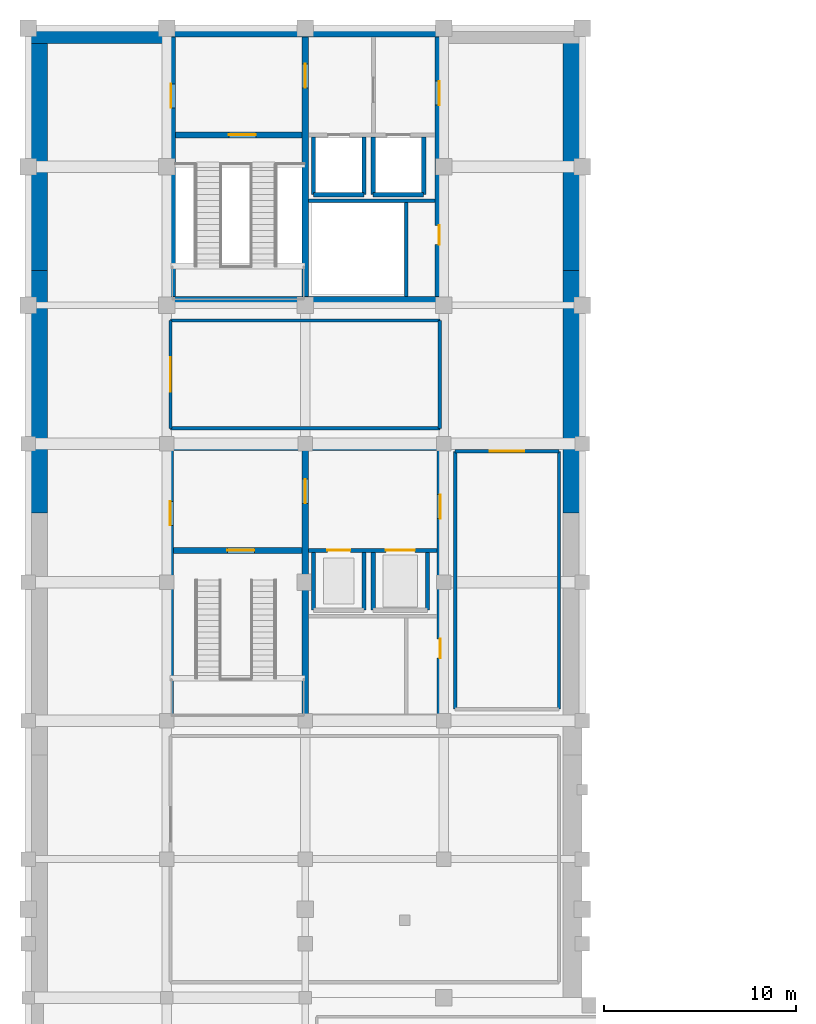
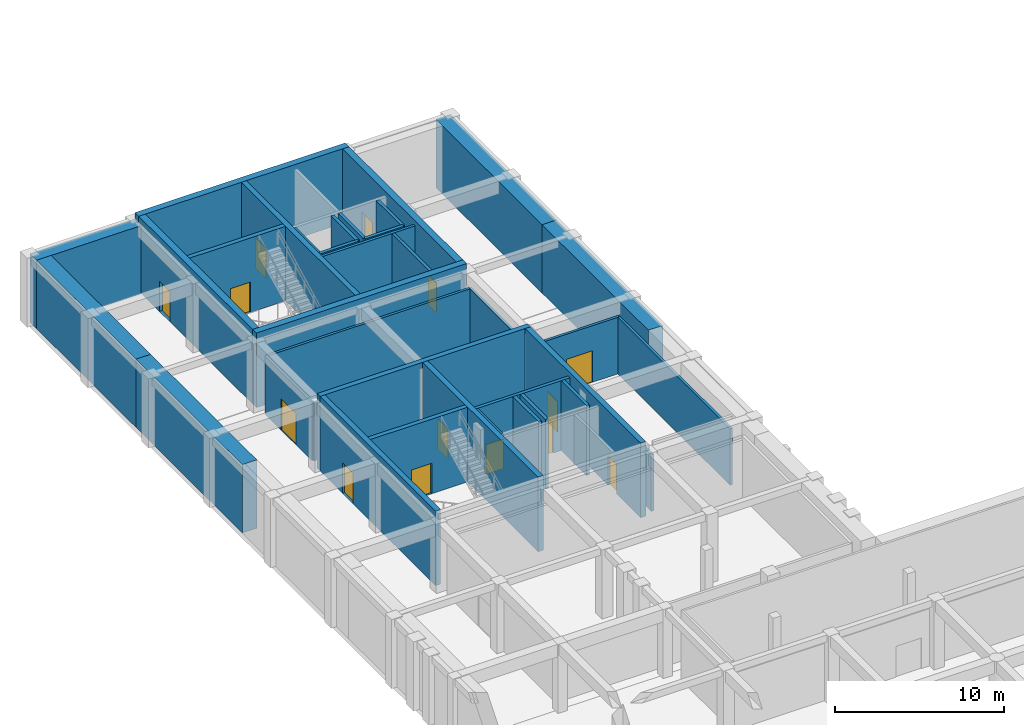
# One storey, part 7 of 15: 36 walls, 14 doors, 14 openings.
"""IFC4 building model written with IfcOpenShell, lengths in metres."""

from ifc_helpers import new_model, si_unit, direction, frame, frame_2d, origin, place, context, subcontext, project, spatial, rectangle, extrude, material, layer, layer_set, type_object, element, fill, save


model = new_model("IFC4")

# Units and contexts
model_context = context("Model", 3, precision=1e-05, world=origin(), true_north=direction((0.0, 1.0)))
body_context = subcontext(model_context, "Body", "Model", "MODEL_VIEW")
ifc_project = project(units=[si_unit("LENGTHUNIT", "METRE"), si_unit("AREAUNIT", "SQUARE_METRE"), si_unit("VOLUMEUNIT", "CUBIC_METRE"), si_unit("PLANEANGLEUNIT", "RADIAN"), si_unit("MASSUNIT", "GRAM", prefix="KILO")], contexts=[model_context])

# Site, building, storey
site_placement = place(None, origin())
site = spatial("IfcSite", under=ifc_project, at=site_placement, CompositionType="ELEMENT")
building_placement = place(site_placement, origin())
building = spatial("IfcBuilding", under=site, at=building_placement, Name="Leyfeld Transit Interchange", CompositionType="ELEMENT")
storey_placement = place(building_placement, frame((0.0, 0.0, -5.39990234375)))
storey = spatial("IfcBuildingStorey", under=building, at=storey_placement, Name="B01", CompositionType="ELEMENT", Elevation=-5.39990234375)

# Walls
ifc_material_1 = material(Name="Concrete C35/45", Category="concrete")
ifc_layer_1 = layer(ifc_material_1, 1.0, Name="Concrete C35/45")
ifc_layer_set_1 = layer_set([ifc_layer_1], Name="Concrete C35/45")
wall_type_1 = type_object("IfcWallType", Name="WL-DW-1000", PredefinedType="USERDEFINED", material=ifc_layer_set_1)
wall_1_placement = place(storey_placement, frame((0.5, 82.800048828125, 0.0), z_axis=(0.0, 0.0, 1.0), x_axis=(0.0, 1.0, 0.0)))
element("IfcWall", 1, at=wall_1_placement, inside=storey, type_object=wall_type_1, Name="Metro Diaphragm Wall DW-B01-S03-P03", ObjectType="RETAININGWALL", PredefinedType="USERDEFINED", context=body_context, shape_type="SweptSolid", body=[
    extrude(rectangle(XDim=12.599853515625, YDim=1.0, at=frame_2d((6.2998046875, 0.0))), origin(), (0.0, 0.0, 1.0), 4.949951171875),
])
for number, where, z_axis, x_axis, name in (
    (2, (0.5, 95.39990234375, 0.0), (0.0, 0.0, 1.0), (0.0, 1.0, 0.0), "Metro Diaphragm Wall DW-B01-S03-P04"),
    (3, (28.300048828125, 108.0, 0.0), (0.0, 0.0, 1.0), (0.0, -1.0, 0.0), "Metro Diaphragm Wall DW-B01-S05-P01"),
):
    element("IfcWall", number, at=place(storey_placement, frame(where, z_axis=z_axis, x_axis=x_axis)), inside=storey, type_object=wall_type_1, Name=name, ObjectType="RETAININGWALL", PredefinedType="USERDEFINED", context=body_context, shape_type="SweptSolid", body=[
        extrude(rectangle(XDim=12.60009765625, YDim=1.0, at=frame_2d((6.300048828125, 0.0))), origin(), (0.0, 0.0, 1.0), 4.949951171875),
    ])
wall_2_placement = place(storey_placement, frame((28.300048828125, 95.39990234375, 0.0), z_axis=(0.0, 0.0, 1.0), x_axis=(0.0, -1.0, 0.0)))
element("IfcWall", 4, at=wall_2_placement, inside=storey, type_object=wall_type_1, Name="Metro Diaphragm Wall DW-B01-S05-P02", ObjectType="RETAININGWALL", PredefinedType="USERDEFINED", context=body_context, shape_type="SweptSolid", body=[
    extrude(rectangle(XDim=12.599853515625, YDim=1.0, at=frame_2d((6.2998046875, 0.0))), origin(), (0.0, 0.0, 1.0), 4.949951171875),
])
ifc_layer_2 = layer(ifc_material_1, 0.800048828125, Name="Concrete C35/45")
ifc_layer_set_2 = layer_set([ifc_layer_2], Name="Concrete C35/45")
wall_type_2 = type_object("IfcWallType", Name="WL-DW-800", PredefinedType="USERDEFINED", material=ifc_layer_set_2)
wall_3_placement = place(storey_placement, frame((0.0, 107.60009765625, 0.0), z_axis=(0.0, 0.0, 1.0), x_axis=(1.0, 0.0, 0.0)))
element("IfcWall", 5, at=wall_3_placement, inside=storey, type_object=wall_type_2, Name="Metro Diaphragm Wall DW-B01-S04-P01", ObjectType="RETAININGWALL", PredefinedType="USERDEFINED", context=body_context, shape_type="SweptSolid", body=[
    extrude(rectangle(XDim=7.14990234375, YDim=0.800048828125, at=frame_2d((3.574951171875, 0.0))), origin(), (0.0, 0.0, 1.0), 4.949951171875),
])

# Wall, opening, door
ifc_material_2 = material(Name="Calcium silicate masonry", Category="masonry")
ifc_layer_3 = layer(ifc_material_2, 0.175048828125, Name="Calcium silicate masonry")
ifc_layer_set_3 = layer_set([ifc_layer_3], Name="Calcium silicate masonry")
wall_type_3 = type_object("IfcWallType", Name="WL-INT-COR-175", PredefinedType="PARTITIONING", material=ifc_layer_set_3)
wall_4_placement = place(storey_placement, frame((22.199951171875, 86.0, 0.0), z_axis=(0.0, 0.0, 1.0), x_axis=(1.0, 0.0, 0.0)))
wall_4 = element("IfcWall", 6, at=wall_4_placement, inside=storey, type_object=wall_type_3, Name="Interior Partition B01-BIK-01 N", PredefinedType="PARTITIONING", context=body_context, shape_type="SweptSolid", body=[
    extrude(rectangle(XDim=5.400146484375, YDim=0.175048828125, at=frame_2d((2.7001953125, 0.0))), origin(), (0.0, 0.0, 1.0), 4.099853515625),
])
opening_1_placement = place(wall_4_placement, frame((1.81005859375, 0.0, 0.0)))
opening_1 = element("IfcOpeningElement", 7, at=opening_1_placement, cuts=wall_4, Name="Opening DU-19", PredefinedType="OPENING", context=body_context, shape_type="SweptSolid", body=[
    extrude(rectangle(XDim=1.780029296875, YDim=2.280029296875, at=frame_2d((0.89013671875, 1.14013671875))), frame((0.0, 0.097412109375, 0.0), z_axis=(0.0, -1.0, 0.0), x_axis=(1.0, 0.0, 0.0)), (0.0, 0.0, 1.0), 0.195068359375),
])
ifc_material_3 = material(Name="Austrian larch glulam GL28h", Category="wood")
door_type_1 = type_object("IfcDoorType", Name="DR-UNQ-19", OperationType="NOTDEFINED", PredefinedType="DOOR", material=ifc_material_3)
door_1_placement = place(opening_1_placement, origin())
door_1 = element("IfcDoor", 8, at=door_1_placement, inside=storey, type_object=door_type_1, Name="DR-B01-BIK-01", OperationType="DOUBLE_DOOR_SINGLE_SWING", OverallHeight=2.280029296875, OverallWidth=1.780029296875, PredefinedType="DOOR", context=body_context, shape_type="SweptSolid", body=[
    extrude(rectangle(XDim=1.780029296875, YDim=2.280029296875, at=frame_2d((0.89013671875, 1.14013671875))), frame((0.0, 0.02490234375, 0.0), z_axis=(0.0, -1.0, 0.0), x_axis=(1.0, 0.0, 0.0)), (0.0, 0.0, 1.0), 0.050048828125),
])
fill(opening_1, door_1)

# Walls
for number, where, z_axis, x_axis, name in (
    (9, (27.60009765625, 86.0, 0.0), (0.0, 0.0, 1.0), (0.0, -1.0, 0.0), "Interior Partition B01-BIK-01 E"),
    (10, (22.199951171875, 72.60009765625, 0.0), (0.0, 0.0, 1.0), (0.0, 1.0, 0.0), "Interior Partition B01-BIK-01 W"),
):
    element("IfcWall", number, at=place(storey_placement, frame(where, z_axis=z_axis, x_axis=x_axis)), inside=storey, type_object=wall_type_3, Name=name, PredefinedType="PARTITIONING", context=body_context, shape_type="SweptSolid", body=[
        extrude(rectangle(XDim=13.39990234375, YDim=0.175048828125, at=frame_2d((6.699951171875, 0.0))), origin(), (0.0, 0.0, 1.0), 4.099853515625),
    ])
for number, where, z_axis, x_axis, name in (
    (11, (7.39990234375, 92.800048828125, 0.0), (0.0, 0.0, 1.0), (1.0, 0.0, 0.0), "Interior Partition B01-STO-02 N"),
    (12, (21.39990234375, 87.199951171875, 0.0), (0.0, 0.0, 1.0), (-1.0, 0.0, 0.0), "Interior Partition B01-STO-02 S"),
):
    element("IfcWall", number, at=place(storey_placement, frame(where, z_axis=z_axis, x_axis=x_axis)), inside=storey, type_object=wall_type_3, Name=name, PredefinedType="PARTITIONING", context=body_context, shape_type="SweptSolid", body=[
        extrude(rectangle(XDim=14.0, YDim=0.175048828125, at=frame_2d((7.0, 0.0))), origin(), (0.0, 0.0, 1.0), 4.199951171875),
    ])
wall_5_placement = place(storey_placement, frame((21.39990234375, 92.800048828125, 0.0), z_axis=(0.0, 0.0, 1.0), x_axis=(0.0, -1.0, 0.0)))
element("IfcWall", 13, at=wall_5_placement, inside=storey, type_object=wall_type_3, Name="Interior Partition B01-STO-02 E", PredefinedType="PARTITIONING", context=body_context, shape_type="SweptSolid", body=[
    extrude(rectangle(XDim=5.60009765625, YDim=0.175048828125, at=frame_2d((2.800048828125, 0.0))), origin(), (0.0, 0.0, 1.0), 4.199951171875),
])

# Wall, opening, door
wall_6_placement = place(storey_placement, frame((7.39990234375, 87.199951171875, 0.0), z_axis=(0.0, 0.0, 1.0), x_axis=(0.0, 1.0, 0.0)))
wall_6 = element("IfcWall", 14, at=wall_6_placement, inside=storey, type_object=wall_type_3, Name="Interior Partition B01-STO-02 W", PredefinedType="PARTITIONING", context=body_context, shape_type="SweptSolid", body=[
    extrude(rectangle(XDim=5.60009765625, YDim=0.175048828125, at=frame_2d((2.800048828125, 0.0))), origin(), (0.0, 0.0, 1.0), 4.199951171875),
])
opening_2_placement = place(wall_6_placement, frame((1.909912109375, 0.0, 0.0)))
opening_2 = element("IfcOpeningElement", 15, at=opening_2_placement, cuts=wall_6, Name="Opening DU-19", PredefinedType="OPENING", context=body_context, shape_type="SweptSolid", body=[
    extrude(rectangle(XDim=1.780029296875, YDim=2.280029296875, at=frame_2d((0.89013671875, 1.14013671875))), frame((0.0, 0.097412109375, 0.0), z_axis=(0.0, -1.0, 0.0), x_axis=(1.0, 0.0, 0.0)), (0.0, 0.0, 1.0), 0.195068359375),
])
door_2_placement = place(opening_2_placement, origin())
door_2 = element("IfcDoor", 16, at=door_2_placement, inside=storey, type_object=door_type_1, Name="DR-B01-STO-02", OperationType="DOUBLE_DOOR_SINGLE_SWING", OverallHeight=2.280029296875, OverallWidth=1.780029296875, PredefinedType="DOOR", context=body_context, shape_type="SweptSolid", body=[
    extrude(rectangle(XDim=1.780029296875, YDim=2.280029296875, at=frame_2d((0.89013671875, 1.14013671875))), frame((0.0, 0.02490234375, 0.0), z_axis=(0.0, -1.0, 0.0), x_axis=(1.0, 0.0, 0.0)), (0.0, 0.0, 1.0), 0.050048828125),
])
fill(opening_2, door_2)

# Walls
ifc_layer_4 = layer(ifc_material_2, 0.18994140625, Name="Calcium silicate masonry")
ifc_layer_set_4 = layer_set([ifc_layer_4], Name="Calcium silicate masonry")
wall_type_4 = type_object("IfcWallType", Name="WL-INT-PLT-190", PredefinedType="PARTITIONING", material=ifc_layer_set_4)
wall_7_placement = place(storey_placement, frame((14.580078125, 99.02001953125, 0.0), z_axis=(0.0, 0.0, 1.0), x_axis=(1.0, 0.0, 0.0)))
element("IfcWall", 17, at=wall_7_placement, inside=storey, type_object=wall_type_4, Name="Core K1 Riser Compartment Wall B01", PredefinedType="PARTITIONING", context=body_context, shape_type="SweptSolid", body=[
    extrude(rectangle(XDim=6.56982421875, YDim=0.18994140625, at=frame_2d((3.284912109375, 0.0))), origin(), (0.0, 0.0, 1.0), 5.0498046875),
])
wall_8_placement = place(storey_placement, frame((19.64990234375, 94.050048828125, 0.0), z_axis=(0.0, 0.0, 1.0), x_axis=(0.0, 1.0, 0.0)))
element("IfcWall", 18, at=wall_8_placement, inside=storey, type_object=wall_type_4, Name="Core K1 Riser Shaft East Wall B01", PredefinedType="PARTITIONING", context=body_context, shape_type="SweptSolid", body=[
    extrude(rectangle(XDim=4.8798828125, YDim=0.18994140625, at=frame_2d((2.43994140625, 0.0))), origin(), (0.0, 0.0, 1.0), 5.0498046875),
])
ifc_layer_5 = layer(ifc_material_1, 0.219970703125, Name="Concrete C35/45")
ifc_layer_set_5 = layer_set([ifc_layer_5], Name="Concrete C35/45")
wall_type_5 = type_object("IfcWallType", Name="WL-INT-SHF-220", PredefinedType="PARTITIONING", material=ifc_layer_set_5)
wall_9_placement = place(storey_placement, frame((14.840087890625, 99.340087890625, 0.0), z_axis=(0.0, 0.0, 1.0), x_axis=(1.0, 0.0, 0.0)))
element("IfcWall", 19, at=wall_9_placement, inside=storey, type_object=wall_type_5, Name="Core K1 Lift FFL-1 Shaft Back Wall B01", PredefinedType="PARTITIONING", context=body_context, shape_type="SweptSolid", body=[
    extrude(rectangle(XDim=2.619873046875, YDim=0.219970703125, at=frame_2d((1.31005859375, 0.0))), origin(), (0.0, 0.0, 1.0), 5.0498046875),
])
for number, where, z_axis, x_axis, name in (
    (20, (14.840087890625, 99.340087890625, 0.0), (0.0, 0.0, 1.0), (0.0, 1.0, 0.0), "Core K1 Lift FFL-1 Shaft Wall W B01"),
    (21, (17.4599609375, 99.340087890625, 0.0), (0.0, 0.0, 1.0), (0.0, 1.0, 0.0), "Core K1 Lift FFL-1 Shaft Wall E B01"),
):
    element("IfcWall", number, at=place(storey_placement, frame(where, z_axis=z_axis, x_axis=x_axis)), inside=storey, type_object=wall_type_5, Name=name, PredefinedType="PARTITIONING", context=body_context, shape_type="SweptSolid", body=[
        extrude(rectangle(XDim=3.0, YDim=0.219970703125, at=frame_2d((1.5, 0.0))), origin(), (0.0, 0.0, 1.0), 5.0498046875),
    ])
wall_10_placement = place(storey_placement, frame((17.93994140625, 99.340087890625, 0.0), z_axis=(0.0, 0.0, 1.0), x_axis=(1.0, 0.0, 0.0)))
element("IfcWall", 22, at=wall_10_placement, inside=storey, type_object=wall_type_5, Name="Core K1 Lift PL-1 Shaft Back Wall B01", PredefinedType="PARTITIONING", context=body_context, shape_type="SweptSolid", body=[
    extrude(rectangle(XDim=2.6201171875, YDim=0.219970703125, at=frame_2d((1.31005859375, 0.0))), origin(), (0.0, 0.0, 1.0), 5.0498046875),
])
for number, where, z_axis, x_axis, name in (
    (23, (17.93994140625, 99.340087890625, 0.0), (0.0, 0.0, 1.0), (0.0, 1.0, 0.0), "Core K1 Lift PL-1 Shaft Wall W B01"),
    (24, (20.56005859375, 99.340087890625, 0.0), (0.0, 0.0, 1.0), (0.0, 1.0, 0.0), "Core K1 Lift PL-1 Shaft Wall E B01"),
):
    element("IfcWall", number, at=place(storey_placement, frame(where, z_axis=z_axis, x_axis=x_axis)), inside=storey, type_object=wall_type_5, Name=name, PredefinedType="PARTITIONING", context=body_context, shape_type="SweptSolid", body=[
        extrude(rectangle(XDim=3.0, YDim=0.219970703125, at=frame_2d((1.5, 0.0))), origin(), (0.0, 0.0, 1.0), 5.0498046875),
    ])

# Wall, openings, doors
wall_11_placement = place(storey_placement, frame((14.580078125, 80.85009765625, 0.0), z_axis=(0.0, 0.0, 1.0), x_axis=(1.0, 0.0, 0.0)))
wall_11 = element("IfcWall", 25, at=wall_11_placement, inside=storey, type_object=wall_type_5, Name="Core K3 Lift Shaft Front Wall B01", PredefinedType="PARTITIONING", context=body_context, shape_type="SweptSolid", body=[
    extrude(rectangle(XDim=6.669921875, YDim=0.219970703125, at=frame_2d((3.3349609375, 0.0))), origin(), (0.0, 0.0, 1.0), 5.0498046875),
])
opening_3_placement = place(wall_11_placement, frame((0.969970703125, 0.0, 0.0)))
opening_3 = element("IfcOpeningElement", 26, at=opening_3_placement, cuts=wall_11, Name="Opening LD-02", PredefinedType="OPENING", context=body_context, shape_type="SweptSolid", body=[
    extrude(rectangle(XDim=1.199951171875, YDim=2.14990234375, at=frame_2d((0.60009765625, 1.074951171875))), frame((0.0, 0.119873046875, 0.0), z_axis=(0.0, -1.0, 0.0), x_axis=(1.0, 0.0, 0.0)), (0.0, 0.0, 1.0), 0.239990234375),
])
opening_4_placement = place(wall_11_placement, frame((4.02001953125, 0.0, 0.0)))
opening_4 = element("IfcOpeningElement", 27, at=opening_4_placement, cuts=wall_11, Name="Opening LD-03", PredefinedType="OPENING", context=body_context, shape_type="SweptSolid", body=[
    extrude(rectangle(XDim=1.5, YDim=2.25, at=frame_2d((0.75, 1.125))), frame((0.0, 0.119873046875, 0.0), z_axis=(0.0, -1.0, 0.0), x_axis=(1.0, 0.0, 0.0)), (0.0, 0.0, 1.0), 0.239990234375),
])
ifc_material_4 = material(Name="Stainless steel EN 1.4404", Category="steel")
door_type_2 = type_object("IfcDoorType", Name="DR-LD-GDS-1500x2250", OperationType="NOTDEFINED", PredefinedType="DOOR", material=ifc_material_4)
door_3_placement = place(opening_4_placement, origin())
door_3 = element("IfcDoor", 28, at=door_3_placement, inside=storey, type_object=door_type_2, Name="LD-GL-1-B01", OperationType="DOUBLE_DOOR_SLIDING", OverallHeight=2.25, OverallWidth=1.5, PredefinedType="DOOR", context=body_context, shape_type="SweptSolid", body=[
    extrude(rectangle(XDim=1.5, YDim=2.25, at=frame_2d((0.75, 1.125))), frame((0.0, 0.02490234375, 0.0), z_axis=(0.0, -1.0, 0.0), x_axis=(1.0, 0.0, 0.0)), (0.0, 0.0, 1.0), 0.050048828125),
])
fill(opening_4, door_3)
door_type_3 = type_object("IfcDoorType", Name="DR-LD-PAS-1200x2150", OperationType="NOTDEFINED", PredefinedType="DOOR", material=ifc_material_4)
door_4_placement = place(opening_3_placement, origin())
door_4 = element("IfcDoor", 29, at=door_4_placement, inside=storey, type_object=door_type_3, Name="LD-PL-3-B01", OperationType="DOUBLE_DOOR_SLIDING", OverallHeight=2.14990234375, OverallWidth=1.199951171875, PredefinedType="DOOR", context=body_context, shape_type="SweptSolid", body=[
    extrude(rectangle(XDim=1.199951171875, YDim=2.14990234375, at=frame_2d((0.60009765625, 1.074951171875))), frame((0.0, 0.02490234375, 0.0), z_axis=(0.0, -1.0, 0.0), x_axis=(1.0, 0.0, 0.0)), (0.0, 0.0, 1.0), 0.050048828125),
])
fill(opening_3, door_4)

# Walls
for number, where, z_axis, x_axis, name in (
    (30, (14.840087890625, 77.739990234375, 0.0), (0.0, 0.0, 1.0), (0.0, 1.0, 0.0), "Core K3 Lift PL-3 Shaft Wall W B01"),
    (31, (17.4599609375, 77.739990234375, 0.0), (0.0, 0.0, 1.0), (0.0, 1.0, 0.0), "Core K3 Lift PL-3 Shaft Wall E B01"),
    (32, (17.93994140625, 77.739990234375, 0.0), (0.0, 0.0, 1.0), (0.0, 1.0, 0.0), "Core K3 Lift GL-1 Shaft Wall W B01"),
    (33, (20.760009765625, 77.739990234375, 0.0), (0.0, 0.0, 1.0), (0.0, 1.0, 0.0), "Core K3 Lift GL-1 Shaft Wall E B01"),
):
    element("IfcWall", number, at=place(storey_placement, frame(where, z_axis=z_axis, x_axis=x_axis)), inside=storey, type_object=wall_type_5, Name=name, PredefinedType="PARTITIONING", context=body_context, shape_type="SweptSolid", body=[
        extrude(rectangle(XDim=3.0, YDim=0.219970703125, at=frame_2d((1.5, 0.0))), origin(), (0.0, 0.0, 1.0), 5.0498046875),
    ])

# Wall, opening, door
ifc_layer_6 = layer(ifc_material_1, 0.300048828125, Name="Concrete C35/45")
ifc_layer_set_6 = layer_set([ifc_layer_6], Name="Concrete C35/45")
wall_type_6 = type_object("IfcWallType", Name="WL-SH-300", PredefinedType="SHEAR", material=ifc_layer_set_6)
wall_12_placement = place(storey_placement, frame((7.64990234375, 102.449951171875, 0.0), z_axis=(0.0, 0.0, 1.0), x_axis=(1.0, 0.0, 0.0)))
wall_12 = element("IfcWall", 34, at=wall_12_placement, inside=storey, type_object=wall_type_6, Name="Core K1 Shear Wall STRN B01", PredefinedType="SHEAR", context=body_context, shape_type="SweptSolid", body=[
    extrude(rectangle(XDim=6.5751953125, YDim=0.300048828125, at=frame_2d((3.28759765625, 0.0))), origin(), (0.0, 0.0, 1.0), 5.39990234375),
])
opening_5_placement = place(wall_12_placement, frame((2.78759765625, 0.0, 0.0)))
opening_5 = element("IfcOpeningElement", 35, at=opening_5_placement, cuts=wall_12, Name="Opening DI-01", PredefinedType="OPENING", context=body_context, shape_type="SweptSolid", body=[
    extrude(rectangle(XDim=1.39990234375, YDim=2.199951171875, at=frame_2d((0.699951171875, 1.10009765625))), frame((0.0, 0.159912109375, 0.0), z_axis=(0.0, -1.0, 0.0), x_axis=(1.0, 0.0, 0.0)), (0.0, 0.0, 1.0), 0.320068359375),
])
ifc_material_5 = material(Name="Galvanised steel S275JR", Category="steel")
door_type_4 = type_object("IfcDoorType", Name="DR-STR-1400x2200", OperationType="NOTDEFINED", PredefinedType="DOOR", material=ifc_material_5)
door_5_placement = place(opening_5_placement, origin())
door_5 = element("IfcDoor", 36, at=door_5_placement, inside=storey, type_object=door_type_4, Name="DR-STR-INT-K1-B01", OperationType="SINGLE_SWING_LEFT", OverallHeight=2.199951171875, OverallWidth=1.39990234375, PredefinedType="DOOR", context=body_context, shape_type="SweptSolid", body=[
    extrude(rectangle(XDim=1.39990234375, YDim=2.199951171875, at=frame_2d((0.699951171875, 1.10009765625))), frame((0.0, 0.02490234375, 0.0), z_axis=(0.0, -1.0, 0.0), x_axis=(1.0, 0.0, 0.0)), (0.0, 0.0, 1.0), 0.050048828125),
])
fill(opening_5, door_5)

wall_13_placement = place(storey_placement, frame((7.550048828125, 80.85009765625, 0.0), z_axis=(0.0, 0.0, 1.0), x_axis=(1.0, 0.0, 0.0)))
wall_13 = element("IfcWall", 37, at=wall_13_placement, inside=storey, type_object=wall_type_6, Name="Core K3 Shear Wall STRN B01", PredefinedType="SHEAR", context=body_context, shape_type="SweptSolid", body=[
    extrude(rectangle(XDim=6.675048828125, YDim=0.300048828125, at=frame_2d((3.33740234375, 0.0))), origin(), (0.0, 0.0, 1.0), 5.39990234375),
])
opening_6_placement = place(wall_13_placement, frame((2.8125, 0.0, 0.0)))
opening_6 = element("IfcOpeningElement", 38, at=opening_6_placement, cuts=wall_13, Name="Opening DI-01", PredefinedType="OPENING", context=body_context, shape_type="SweptSolid", body=[
    extrude(rectangle(XDim=1.39990234375, YDim=2.199951171875, at=frame_2d((0.699951171875, 1.10009765625))), frame((0.0, 0.159912109375, 0.0), z_axis=(0.0, -1.0, 0.0), x_axis=(1.0, 0.0, 0.0)), (0.0, 0.0, 1.0), 0.320068359375),
])
door_6_placement = place(opening_6_placement, origin())
door_6 = element("IfcDoor", 39, at=door_6_placement, inside=storey, type_object=door_type_4, Name="DR-STR-INT-K3-B01", OperationType="SINGLE_SWING_LEFT", OverallHeight=2.199951171875, OverallWidth=1.39990234375, PredefinedType="DOOR", context=body_context, shape_type="SweptSolid", body=[
    extrude(rectangle(XDim=1.39990234375, YDim=2.199951171875, at=frame_2d((0.699951171875, 1.10009765625))), frame((0.0, 0.02490234375, 0.0), z_axis=(0.0, -1.0, 0.0), x_axis=(1.0, 0.0, 0.0)), (0.0, 0.0, 1.0), 0.050048828125),
])
fill(opening_6, door_6)

ifc_layer_7 = layer(ifc_material_1, 0.35009765625, Name="Concrete C35/45")
ifc_layer_set_7 = layer_set([ifc_layer_7], Name="Concrete C35/45")
wall_type_7 = type_object("IfcWallType", Name="WL-SH-350", PredefinedType="SHEAR", material=ifc_layer_set_7)
wall_14_placement = place(storey_placement, frame((14.39990234375, 107.550048828125, 0.0), z_axis=(0.0, 0.0, 1.0), x_axis=(0.0, -1.0, 0.0)))
wall_14 = element("IfcWall", 40, at=wall_14_placement, inside=storey, type_object=wall_type_7, Name="Core K1 Shear Wall MID B01", PredefinedType="SHEAR", context=body_context, shape_type="SweptSolid", body=[
    extrude(rectangle(XDim=13.5, YDim=0.35009765625, at=frame_2d((6.75, 0.0))), origin(), (0.0, 0.0, 1.0), 5.39990234375),
])
opening_7_placement = place(wall_14_placement, frame((1.39990234375, 0.0, 0.0)))
opening_7 = element("IfcOpeningElement", 41, at=opening_7_placement, cuts=wall_14, Name="Opening DI-02", PredefinedType="OPENING", context=body_context, shape_type="SweptSolid", body=[
    extrude(rectangle(XDim=1.25, YDim=2.199951171875, at=frame_2d((0.625, 1.10009765625))), frame((0.0, 0.18505859375, 0.0), z_axis=(0.0, -1.0, 0.0), x_axis=(1.0, 0.0, 0.0)), (0.0, 0.0, 1.0), 0.3701171875),
])
door_type_5 = type_object("IfcDoorType", Name="DR-FFL-1250x2200", OperationType="NOTDEFINED", PredefinedType="DOOR", material=ifc_material_5)
door_7_placement = place(opening_7_placement, origin())
door_7 = element("IfcDoor", 42, at=door_7_placement, inside=storey, type_object=door_type_5, Name="DR-CORE-MID-K1-B01", OperationType="SINGLE_SWING_RIGHT", OverallHeight=2.199951171875, OverallWidth=1.25, PredefinedType="DOOR", context=body_context, shape_type="SweptSolid", body=[
    extrude(rectangle(XDim=1.25, YDim=2.199951171875, at=frame_2d((0.625, 1.10009765625))), frame((0.0, 0.02490234375, 0.0), z_axis=(0.0, -1.0, 0.0), x_axis=(1.0, 0.0, 0.0)), (0.0, 0.0, 1.0), 0.050048828125),
])
fill(opening_7, door_7)

# Wall
wall_15_placement = place(storey_placement, frame((7.199951171875, 86.22509765625, 0.0), z_axis=(0.0, 0.0, 1.0), x_axis=(1.0, 0.0, 0.0)))
element("IfcWall", 43, at=wall_15_placement, inside=storey, type_object=wall_type_7, Name="Core K3 Shear Wall N B01", PredefinedType="SHEAR", context=body_context, shape_type="SweptSolid", body=[
    extrude(rectangle(XDim=14.400146484375, YDim=0.35009765625, at=frame_2d((7.2001953125, 0.0))), origin(), (0.0, 0.0, 1.0), 5.39990234375),
])

# Wall, openings, doors
wall_16_placement = place(storey_placement, frame((21.425048828125, 86.050048828125, 0.0), z_axis=(0.0, 0.0, 1.0), x_axis=(0.0, -1.0, 0.0)))
wall_16 = element("IfcWall", 44, at=wall_16_placement, inside=storey, type_object=wall_type_7, Name="Core K3 Shear Wall E B01", PredefinedType="SHEAR", context=body_context, shape_type="SweptSolid", body=[
    extrude(rectangle(XDim=13.699951171875, YDim=0.35009765625, at=frame_2d((6.85009765625, 0.0))), origin(), (0.0, 0.0, 1.0), 5.39990234375),
])
opening_8_placement = place(wall_16_placement, frame((9.800048828125, 0.0, 0.0)))
opening_8 = element("IfcOpeningElement", 45, at=opening_8_placement, cuts=wall_16, Name="Opening DI-05", PredefinedType="OPENING", context=body_context, shape_type="SweptSolid", body=[
    extrude(rectangle(XDim=1.0, YDim=2.14990234375, at=frame_2d((0.5, 1.074951171875))), frame((0.0, 0.18505859375, 0.0), z_axis=(0.0, -1.0, 0.0), x_axis=(1.0, 0.0, 0.0)), (0.0, 0.0, 1.0), 0.3701171875),
])
opening_9_placement = place(wall_16_placement, frame((2.300048828125, 0.0, 0.0)))
opening_9 = element("IfcOpeningElement", 46, at=opening_9_placement, cuts=wall_16, Name="Opening DI-02", PredefinedType="OPENING", context=body_context, shape_type="SweptSolid", body=[
    extrude(rectangle(XDim=1.25, YDim=2.199951171875, at=frame_2d((0.625, 1.10009765625))), frame((0.0, 0.18505859375, 0.0), z_axis=(0.0, -1.0, 0.0), x_axis=(1.0, 0.0, 0.0)), (0.0, 0.0, 1.0), 0.3701171875),
])
door_8_placement = place(opening_9_placement, origin())
door_8 = element("IfcDoor", 47, at=door_8_placement, inside=storey, type_object=door_type_5, Name="DR-CORE-OUT-K3-B01-E", OperationType="SINGLE_SWING_LEFT", OverallHeight=2.199951171875, OverallWidth=1.25, PredefinedType="DOOR", context=body_context, shape_type="SweptSolid", body=[
    extrude(rectangle(XDim=1.25, YDim=2.199951171875, at=frame_2d((0.625, 1.10009765625))), frame((0.0, 0.02490234375, 0.0), z_axis=(0.0, -1.0, 0.0), x_axis=(1.0, 0.0, 0.0)), (0.0, 0.0, 1.0), 0.050048828125),
])
fill(opening_9, door_8)
door_type_6 = type_object("IfcDoorType", Name="DR-OFF-1000x2150", OperationType="NOTDEFINED", PredefinedType="DOOR", material=ifc_material_3)
door_9_placement = place(opening_8_placement, origin())
door_9 = element("IfcDoor", 48, at=door_9_placement, inside=storey, type_object=door_type_6, Name="DR-RSR-K3-B01", OperationType="SINGLE_SWING_LEFT", OverallHeight=2.14990234375, OverallWidth=1.0, PredefinedType="DOOR", context=body_context, shape_type="SweptSolid", body=[
    extrude(rectangle(XDim=1.0, YDim=2.14990234375, at=frame_2d((0.5, 1.074951171875))), frame((0.0, 0.02490234375, 0.0), z_axis=(0.0, -1.0, 0.0), x_axis=(1.0, 0.0, 0.0)), (0.0, 0.0, 1.0), 0.050048828125),
])
fill(opening_8, door_9)

# Wall, opening, door
wall_17_placement = place(storey_placement, frame((7.375, 72.35009765625, 0.0), z_axis=(0.0, 0.0, 1.0), x_axis=(0.0, 1.0, 0.0)))
wall_17 = element("IfcWall", 49, at=wall_17_placement, inside=storey, type_object=wall_type_7, Name="Core K3 Shear Wall W B01", PredefinedType="SHEAR", context=body_context, shape_type="SweptSolid", body=[
    extrude(rectangle(XDim=13.699951171875, YDim=0.35009765625, at=frame_2d((6.85009765625, 0.0))), origin(), (0.0, 0.0, 1.0), 5.39990234375),
])
opening_10_placement = place(wall_17_placement, frame((9.800048828125, 0.0, 0.0)))
opening_10 = element("IfcOpeningElement", 50, at=opening_10_placement, cuts=wall_17, Name="Opening DI-02", PredefinedType="OPENING", context=body_context, shape_type="SweptSolid", body=[
    extrude(rectangle(XDim=1.25, YDim=2.199951171875, at=frame_2d((0.625, 1.10009765625))), frame((0.0, 0.18505859375, 0.0), z_axis=(0.0, -1.0, 0.0), x_axis=(1.0, 0.0, 0.0)), (0.0, 0.0, 1.0), 0.3701171875),
])
door_10_placement = place(opening_10_placement, origin())
door_10 = element("IfcDoor", 51, at=door_10_placement, inside=storey, type_object=door_type_5, Name="DR-CORE-OUT-K3-B01-W", OperationType="SINGLE_SWING_RIGHT", OverallHeight=2.199951171875, OverallWidth=1.25, PredefinedType="DOOR", context=body_context, shape_type="SweptSolid", body=[
    extrude(rectangle(XDim=1.25, YDim=2.199951171875, at=frame_2d((0.625, 1.10009765625))), frame((0.0, 0.02490234375, 0.0), z_axis=(0.0, -1.0, 0.0), x_axis=(1.0, 0.0, 0.0)), (0.0, 0.0, 1.0), 0.050048828125),
])
fill(opening_10, door_10)

wall_18_placement = place(storey_placement, frame((14.39990234375, 86.050048828125, 0.0), z_axis=(0.0, 0.0, 1.0), x_axis=(0.0, -1.0, 0.0)))
wall_18 = element("IfcWall", 52, at=wall_18_placement, inside=storey, type_object=wall_type_7, Name="Core K3 Shear Wall MID B01", PredefinedType="SHEAR", context=body_context, shape_type="SweptSolid", body=[
    extrude(rectangle(XDim=13.699951171875, YDim=0.35009765625, at=frame_2d((6.85009765625, 0.0))), origin(), (0.0, 0.0, 1.0), 5.39990234375),
])
opening_11_placement = place(wall_18_placement, frame((1.5, 0.0, 0.0)))
opening_11 = element("IfcOpeningElement", 53, at=opening_11_placement, cuts=wall_18, Name="Opening DI-02", PredefinedType="OPENING", context=body_context, shape_type="SweptSolid", body=[
    extrude(rectangle(XDim=1.25, YDim=2.199951171875, at=frame_2d((0.625, 1.10009765625))), frame((0.0, 0.18505859375, 0.0), z_axis=(0.0, -1.0, 0.0), x_axis=(1.0, 0.0, 0.0)), (0.0, 0.0, 1.0), 0.3701171875),
])
door_11_placement = place(opening_11_placement, origin())
door_11 = element("IfcDoor", 54, at=door_11_placement, inside=storey, type_object=door_type_5, Name="DR-CORE-MID-K3-B01", OperationType="SINGLE_SWING_RIGHT", OverallHeight=2.199951171875, OverallWidth=1.25, PredefinedType="DOOR", context=body_context, shape_type="SweptSolid", body=[
    extrude(rectangle(XDim=1.25, YDim=2.199951171875, at=frame_2d((0.625, 1.10009765625))), frame((0.0, 0.02490234375, 0.0), z_axis=(0.0, -1.0, 0.0), x_axis=(1.0, 0.0, 0.0)), (0.0, 0.0, 1.0), 0.050048828125),
])
fill(opening_11, door_11)

# Wall
ifc_layer_8 = layer(ifc_material_1, 0.449951171875, Name="Concrete C35/45")
ifc_layer_set_8 = layer_set([ifc_layer_8], Name="Concrete C35/45")
wall_type_8 = type_object("IfcWallType", Name="WL-SH-450", PredefinedType="SHEAR", material=ifc_layer_set_8)
wall_19_placement = place(storey_placement, frame((7.199951171875, 107.77490234375, 0.0), z_axis=(0.0, 0.0, 1.0), x_axis=(1.0, 0.0, 0.0)))
element("IfcWall", 55, at=wall_19_placement, inside=storey, type_object=wall_type_8, Name="Core K1 Shear Wall N B01", PredefinedType="SHEAR", context=body_context, shape_type="SweptSolid", body=[
    extrude(rectangle(XDim=14.400146484375, YDim=0.449951171875, at=frame_2d((7.2001953125, 0.0))), origin(), (0.0, 0.0, 1.0), 5.39990234375),
])

# Wall, openings, doors
wall_20_placement = place(storey_placement, frame((21.375, 107.550048828125, 0.0), z_axis=(0.0, 0.0, 1.0), x_axis=(0.0, -1.0, 0.0)))
wall_20 = element("IfcWall", 56, at=wall_20_placement, inside=storey, type_object=wall_type_8, Name="Core K1 Shear Wall E B01", PredefinedType="SHEAR", context=body_context, shape_type="SweptSolid", body=[
    extrude(rectangle(XDim=13.5, YDim=0.449951171875, at=frame_2d((6.75, 0.0))), origin(), (0.0, 0.0, 1.0), 5.39990234375),
])
opening_12_placement = place(wall_20_placement, frame((9.800048828125, 0.0, 0.0)))
opening_12 = element("IfcOpeningElement", 57, at=opening_12_placement, cuts=wall_20, Name="Opening DI-05", PredefinedType="OPENING", context=body_context, shape_type="SweptSolid", body=[
    extrude(rectangle(XDim=1.0, YDim=2.14990234375, at=frame_2d((0.5, 1.074951171875))), frame((0.0, 0.23486328125, 0.0), z_axis=(0.0, -1.0, 0.0), x_axis=(1.0, 0.0, 0.0)), (0.0, 0.0, 1.0), 0.469970703125),
])
opening_13_placement = place(wall_20_placement, frame((2.300048828125, 0.0, 0.0)))
opening_13 = element("IfcOpeningElement", 58, at=opening_13_placement, cuts=wall_20, Name="Opening DI-02", PredefinedType="OPENING", context=body_context, shape_type="SweptSolid", body=[
    extrude(rectangle(XDim=1.25, YDim=2.199951171875, at=frame_2d((0.625, 1.10009765625))), frame((0.0, 0.23486328125, 0.0), z_axis=(0.0, -1.0, 0.0), x_axis=(1.0, 0.0, 0.0)), (0.0, 0.0, 1.0), 0.469970703125),
])
door_12_placement = place(opening_13_placement, origin())
door_12 = element("IfcDoor", 59, at=door_12_placement, inside=storey, type_object=door_type_5, Name="DR-CORE-OUT-K1-B01-E", OperationType="SINGLE_SWING_RIGHT", OverallHeight=2.199951171875, OverallWidth=1.25, PredefinedType="DOOR", context=body_context, shape_type="SweptSolid", body=[
    extrude(rectangle(XDim=1.25, YDim=2.199951171875, at=frame_2d((0.625, 1.10009765625))), frame((0.0, 0.02490234375, 0.0), z_axis=(0.0, -1.0, 0.0), x_axis=(1.0, 0.0, 0.0)), (0.0, 0.0, 1.0), 0.050048828125),
])
fill(opening_13, door_12)
door_13_placement = place(opening_12_placement, origin())
door_13 = element("IfcDoor", 60, at=door_13_placement, inside=storey, type_object=door_type_6, Name="DR-RSR-K1-B01", OperationType="SINGLE_SWING_LEFT", OverallHeight=2.14990234375, OverallWidth=1.0, PredefinedType="DOOR", context=body_context, shape_type="SweptSolid", body=[
    extrude(rectangle(XDim=1.0, YDim=2.14990234375, at=frame_2d((0.5, 1.074951171875))), frame((0.0, 0.02490234375, 0.0), z_axis=(0.0, -1.0, 0.0), x_axis=(1.0, 0.0, 0.0)), (0.0, 0.0, 1.0), 0.050048828125),
])
fill(opening_12, door_13)

# Wall
wall_21_placement = place(storey_placement, frame((21.60009765625, 93.824951171875, 0.0), z_axis=(0.0, 0.0, 1.0), x_axis=(-1.0, 0.0, 0.0)))
element("IfcWall", 61, at=wall_21_placement, inside=storey, type_object=wall_type_8, Name="Core K1 Shear Wall S B01", PredefinedType="SHEAR", context=body_context, shape_type="SweptSolid", body=[
    extrude(rectangle(XDim=14.400146484375, YDim=0.449951171875, at=frame_2d((7.2001953125, 0.0))), origin(), (0.0, 0.0, 1.0), 5.39990234375),
])

# Wall, opening, door
wall_22_placement = place(storey_placement, frame((7.425048828125, 94.050048828125, 0.0), z_axis=(0.0, 0.0, 1.0), x_axis=(0.0, 1.0, 0.0)))
wall_22 = element("IfcWall", 62, at=wall_22_placement, inside=storey, type_object=wall_type_8, Name="Core K1 Shear Wall W B01", PredefinedType="SHEAR", context=body_context, shape_type="SweptSolid", body=[
    extrude(rectangle(XDim=13.5, YDim=0.449951171875, at=frame_2d((6.75, 0.0))), origin(), (0.0, 0.0, 1.0), 5.39990234375),
])
opening_14_placement = place(wall_22_placement, frame((9.800048828125, 0.0, 0.0)))
opening_14 = element("IfcOpeningElement", 63, at=opening_14_placement, cuts=wall_22, Name="Opening DI-02", PredefinedType="OPENING", context=body_context, shape_type="SweptSolid", body=[
    extrude(rectangle(XDim=1.25, YDim=2.199951171875, at=frame_2d((0.625, 1.10009765625))), frame((0.0, 0.23486328125, 0.0), z_axis=(0.0, -1.0, 0.0), x_axis=(1.0, 0.0, 0.0)), (0.0, 0.0, 1.0), 0.469970703125),
])
door_14_placement = place(opening_14_placement, origin())
door_14 = element("IfcDoor", 64, at=door_14_placement, inside=storey, type_object=door_type_5, Name="DR-CORE-OUT-K1-B01-W", OperationType="SINGLE_SWING_LEFT", OverallHeight=2.199951171875, OverallWidth=1.25, PredefinedType="DOOR", context=body_context, shape_type="SweptSolid", body=[
    extrude(rectangle(XDim=1.25, YDim=2.199951171875, at=frame_2d((0.625, 1.10009765625))), frame((0.0, 0.02490234375, 0.0), z_axis=(0.0, -1.0, 0.0), x_axis=(1.0, 0.0, 0.0)), (0.0, 0.0, 1.0), 0.050048828125),
])
fill(opening_14, door_14)

save(model, "model.ifc")
